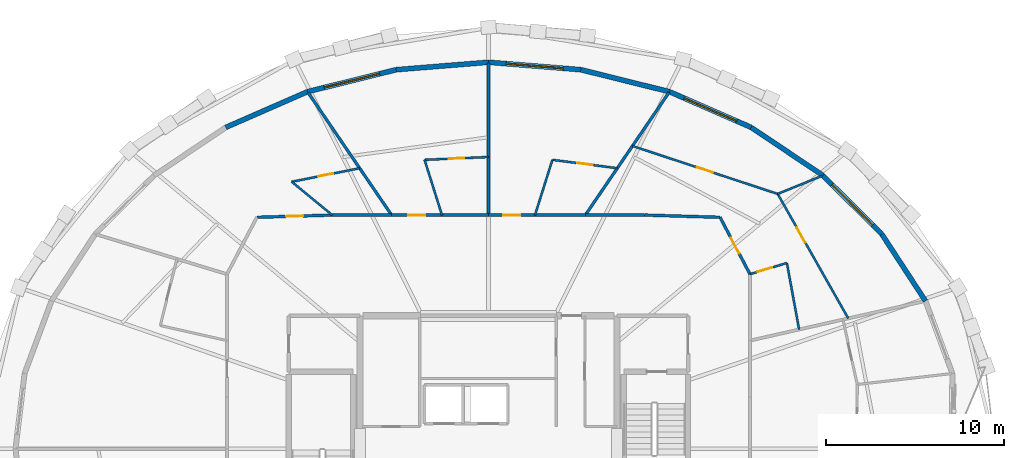
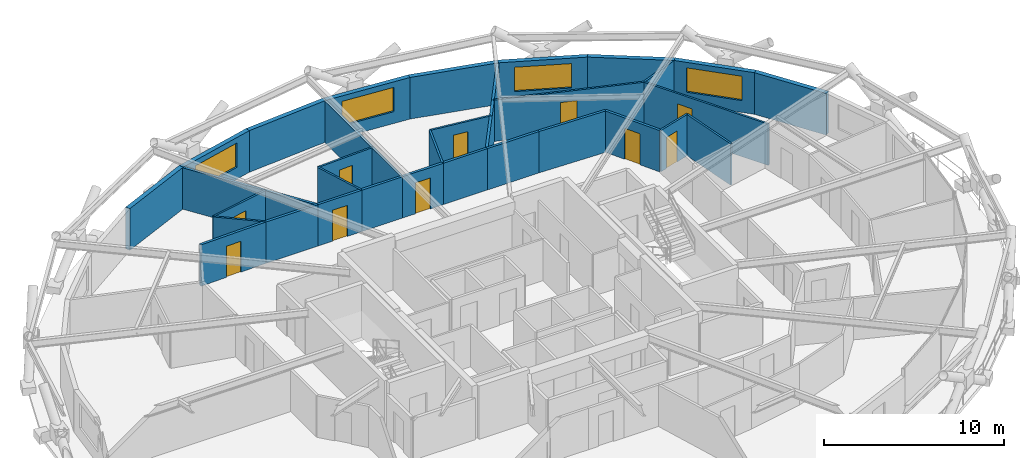
# One storey, part 17 of 21: 32 walls, 10 doors, 4 windows, 14 openings.
"""IFC4 building model written with IfcOpenShell, lengths in metres."""

import ifcopenshell
import ifcopenshell.guid

model = None  # the IFC model being written
_history = None  # IfcOwnerHistory: only IFC2X3 demands one
_inside = {}  # id of a spatial element -> (the spatial element, [elements in it])
_under = {}  # id of a project, library or spatial element -> (it, [spatial elements below it])
_declared = {}  # id of a project -> (the project, [libraries it declares])
_typed = {}  # id of a type object -> (the type object, [elements of that type])
_made_of = {}  # id of a material, layer set ... -> (it, [elements and type objects made of it])


def new_model(schema):
    """Start an empty IFC model of exactly this schema.

    Asked for "IFC4X3", IfcOpenShell would pick the latest addendum, in which some entities
    have other attributes; the version numbers below select the first issue.
    IFC2X3 requires an IfcOwnerHistory on every rooted entity: one is made here for all.
    """
    global model, _history
    if schema == "IFC4X3":
        model = ifcopenshell.file(schema_version=(4, 3, 0, 0))
    else:
        model = ifcopenshell.file(schema=schema)
    _inside.clear()
    _under.clear()
    _declared.clear()
    _typed.clear()
    _made_of.clear()
    _history = None
    if model.schema == "IFC2X3":
        org = make("IfcOrganization", Name="unknown")
        user = make(
            "IfcPersonAndOrganization",
            ThePerson=make("IfcPerson", FamilyName="unknown"),
            TheOrganization=org,
        )
        app = make(
            "IfcApplication",
            ApplicationDeveloper=org,
            Version="unknown",
            ApplicationFullName="unknown",
            ApplicationIdentifier="unknown",
        )
        _history = make(
            "IfcOwnerHistory",
            OwningUser=user,
            OwningApplication=app,
            ChangeAction="ADDED",
            CreationDate=0,
        )
    return model


def make(cls, **values):
    """One entity of the class cls with the attributes given. An attribute that is None is left unset."""
    return model.create_entity(
        cls, **{name: value for name, value in values.items() if value is not None}
    )


def rooted(cls, **values):
    """An entity with a GlobalId (a new one), such as an element, a storey or a relation."""
    return make(cls, GlobalId=ifcopenshell.guid.new(), OwnerHistory=_history, **values)


def si_unit(unit_type, name, prefix=None):
    """IfcSIUnit, for example si_unit("LENGTHUNIT", "METRE", prefix="MILLI")."""
    return make("IfcSIUnit", UnitType=unit_type, Prefix=prefix, Name=name)


def assignment(units):
    """IfcUnitAssignment: the units of a project."""
    return None if units is None else make("IfcUnitAssignment", Units=units)


def point(xyz):
    """IfcCartesianPoint."""
    return None if xyz is None else make("IfcCartesianPoint", Coordinates=xyz)


def direction(xyz):
    """IfcDirection."""
    return None if xyz is None else make("IfcDirection", DirectionRatios=xyz)


def frame(location, z_axis=None, x_axis=None):
    """IfcAxis2Placement3D, a coordinate frame: its origin and axes. An axis left out is left unset."""
    return make(
        "IfcAxis2Placement3D",
        Location=point(location),
        Axis=direction(z_axis),
        RefDirection=direction(x_axis),
    )


def frame_2d(location, x_axis=None):
    """IfcAxis2Placement2D, a coordinate frame in the plane: its origin and x axis."""
    return make(
        "IfcAxis2Placement2D", Location=point(location), RefDirection=direction(x_axis)
    )


def origin():
    """The frame at (0, 0, 0) with its axes left unset."""
    return frame((0.0, 0.0, 0.0))


def place(relative_to, where):
    """IfcLocalPlacement: puts the frame where relative to a parent placement (None: the world)."""
    return make(
        "IfcLocalPlacement", PlacementRelTo=relative_to, RelativePlacement=where
    )


def context(
    kind, dimensions, precision=None, world=None, true_north=None, identifier=None
):
    """IfcGeometricRepresentationContext, for example the 3D "Model" context."""
    return make(
        "IfcGeometricRepresentationContext",
        ContextIdentifier=identifier,
        ContextType=kind,
        CoordinateSpaceDimension=dimensions,
        Precision=precision,
        WorldCoordinateSystem=world,
        TrueNorth=true_north,
    )


def subcontext(parent, identifier, kind, view, scale=None):
    """IfcGeometricRepresentationSubContext, for example "Body" below "Model"."""
    return make(
        "IfcGeometricRepresentationSubContext",
        ContextIdentifier=identifier,
        ContextType=kind,
        ParentContext=parent,
        TargetScale=scale,
        TargetView=view,
    )


def project(units=None, contexts=None):
    """IfcProject with its units and contexts."""
    return rooted(
        "IfcProject",
        Name="project",
        RepresentationContexts=contexts,
        UnitsInContext=assignment(units),
    )


def spatial(cls, under=None, at=None, **own):
    """A site, building, storey or space (cls), placed at a placement, below another one or the project."""
    s = rooted(cls, ObjectPlacement=at, **own)
    if under is not None:
        _under.setdefault(under.id(), (under, []))[1].append(s)
    return s


def profile(cls, at=None, kind="AREA", **sizes):
    """A parametric profile (cls). Its sizes go by their IFC names, for example OverallWidth=200.0."""
    return make(cls, ProfileType=kind, Position=at, **sizes)


def rectangle(**sizes):
    """IfcRectangleProfileDef."""
    return profile("IfcRectangleProfileDef", **sizes)


def extrude(swept, where, along, depth):
    """IfcExtrudedAreaSolid: the profile swept, set in the frame where, extruded along a direction by depth."""
    return make(
        "IfcExtrudedAreaSolid",
        SweptArea=swept,
        Position=where,
        ExtrudedDirection=direction(along),
        Depth=depth,
    )


def shape(context_of_items, identifier, shape_type, items):
    """IfcShapeRepresentation: the items that make up one representation, for example the "Body"."""
    return make(
        "IfcShapeRepresentation",
        ContextOfItems=context_of_items,
        RepresentationIdentifier=identifier,
        RepresentationType=shape_type,
        Items=items,
    )


def material(Name=None, Category=None):
    """IfcMaterial."""
    return make("IfcMaterial", Name=Name, Category=Category)


def layer(
    of_material, thickness, ventilated=None, Name=None, Category=None, Priority=None
):
    """IfcMaterialLayer: one layer of a wall or slab, of a material (None: an air gap)."""
    return make(
        "IfcMaterialLayer",
        Material=of_material,
        LayerThickness=thickness,
        IsVentilated=ventilated,
        Name=Name,
        Category=Category,
        Priority=Priority,
    )


def layer_set(layers, Name=None):
    """IfcMaterialLayerSet."""
    return make("IfcMaterialLayerSet", MaterialLayers=layers, LayerSetName=Name)


def made_of(thing, what):
    """Note that an element or type object is made of a material, layer set ...; save() writes the relation."""
    if what is not None:
        _made_of.setdefault(what.id(), (what, []))[1].append(thing)
    return thing


def type_object(cls, material=None, **own):
    """A type object (cls), such as IfcWallType, which elements share."""
    return made_of(rooted(cls, **own), material)


def element(
    cls,
    number,
    at=None,
    inside=None,
    cuts=None,
    type_object=None,
    material=None,
    context=None,
    identifier="Body",
    shape_type=None,
    held_by="IfcProductDefinitionShape",
    body=None,
    shapes=None,
    **own,
):
    """One element of the class cls, such as IfcWall. Its Tag is "e" and its number.

    at: its placement. inside: the storey or other place that contains it. cuts: it is an
    opening in that element (IfcRelVoidsElement). A single representation is given by context,
    identifier, shape_type and body (its items); several are given by shapes. held_by: the class
    of the entity that holds the representations. save() writes the other relations.
    """
    e = rooted(cls, Tag="e%d" % number, ObjectPlacement=at, **own)
    if body is not None:
        shapes = [shape(context, identifier, shape_type, body)]
    if shapes is not None:
        e.Representation = make(held_by, Representations=shapes)
    if inside is not None:
        _inside.setdefault(inside.id(), (inside, []))[1].append(e)
    if cuts is not None:
        rooted(
            "IfcRelVoidsElement", RelatingBuildingElement=cuts, RelatedOpeningElement=e
        )
    if type_object is not None:
        _typed.setdefault(type_object.id(), (type_object, []))[1].append(e)
    return made_of(e, material)


def fill(opening, filler):
    """IfcRelFillsElement: the door or window that sits in an opening."""
    return rooted(
        "IfcRelFillsElement",
        RelatingOpeningElement=opening,
        RelatedBuildingElement=filler,
    )


def aggregate(whole, parts):
    """IfcRelAggregates: a whole, such as a stair, and the parts it consists of."""
    return rooted("IfcRelAggregates", RelatingObject=whole, RelatedObjects=parts)


def save(model, path):
    """Write the relations noted so far, then the file.

    IfcRelAggregates (storeys below a building ...), IfcRelContainedInSpatialStructure (elements
    in a storey), IfcRelDefinesByType, IfcRelAssociatesMaterial and IfcRelDeclares: one each for
    every whole, place, type object, material and project.
    """
    for whole, parts in _under.values():
        aggregate(whole, parts)
    for where, things in _inside.values():
        rooted(
            "IfcRelContainedInSpatialStructure",
            RelatedElements=things,
            RelatingStructure=where,
        )
    for kind, things in _typed.values():
        rooted("IfcRelDefinesByType", RelatedObjects=things, RelatingType=kind)
    for what, things in _made_of.values():
        rooted("IfcRelAssociatesMaterial", RelatedObjects=things, RelatingMaterial=what)
    for by, libraries in _declared.values():
        rooted("IfcRelDeclares", RelatingContext=by, RelatedDefinitions=libraries)
    model.write(path)


model = new_model("IFC4")

# Units and contexts
model_context = context("Model", 3, precision=1e-05, world=origin(), true_north=direction((0.0, 1.0)))
body_context = subcontext(model_context, "Body", "Model", "MODEL_VIEW")
ifc_project = project(units=[si_unit("LENGTHUNIT", "METRE"), si_unit("AREAUNIT", "SQUARE_METRE"), si_unit("VOLUMEUNIT", "CUBIC_METRE"), si_unit("PLANEANGLEUNIT", "RADIAN"), si_unit("MASSUNIT", "GRAM", prefix="KILO")], contexts=[model_context])

# Site, building, storey
site_placement = place(None, origin())
site = spatial("IfcSite", under=ifc_project, at=site_placement, CompositionType="ELEMENT")
building_placement = place(site_placement, origin())
building = spatial("IfcBuilding", under=site, at=building_placement, Name="Veldorina Hangang Commons", CompositionType="ELEMENT")
storey_placement = place(building_placement, frame((0.0, 0.0, 138.800048828125)))
storey = spatial("IfcBuildingStorey", under=building, at=storey_placement, Name="L35", CompositionType="ELEMENT", Elevation=138.800048828125)

# Wall
ifc_material_1 = material(Name="Stone Roman Travertine", Category="masonry")
ifc_layer_1 = layer(ifc_material_1, 0.280029296875)
ifc_layer_set_1 = layer_set([ifc_layer_1], Name="Stone Roman Travertine")
wall_type_1 = type_object("IfcWallType", Name="EW-TRAV-280", PredefinedType="STANDARD", material=ifc_layer_set_1)
wall_1_placement = place(storey_placement, frame((56.481201171875, 32.289306640625, 0.0), z_axis=(0.0, 0.0, 1.0), x_axis=(-0.54727435463, 0.836953272749, 0.0)))
element("IfcWall", 1, at=wall_1_placement, inside=storey, type_object=wall_type_1, Name="L35 travertine facade wall 02", PredefinedType="STANDARD", context=body_context, shape_type="SweptSolid", body=[
    extrude(rectangle(XDim=4.474365234375, YDim=0.280029296875, at=frame_2d((2.2373046875, 0.0))), origin(), (0.0, 0.0, 1.0), 2.820068359375),
])

# Wall, opening, window
wall_2_placement = place(storey_placement, frame((54.032470703125, 36.0341796875, 0.0), z_axis=(0.0, 0.0, 1.0), x_axis=(-0.708522616078, 0.705688105686, 0.0)))
wall_2 = element("IfcWall", 2, at=wall_2_placement, inside=storey, type_object=wall_type_1, Name="L35 travertine facade wall 03", PredefinedType="STANDARD", context=body_context, shape_type="SweptSolid", body=[
    extrude(rectangle(XDim=4.651123046875, YDim=0.280029296875, at=frame_2d((2.32568359375, 0.0))), origin(), (0.0, 0.0, 1.0), 2.820068359375),
])
opening_1_placement = place(wall_2_placement, frame((0.7255859375, 0.0, 0.800048828125)))
opening_1 = element("IfcOpeningElement", 3, at=opening_1_placement, cuts=wall_2, Name="Opening W-01", PredefinedType="OPENING", context=body_context, shape_type="SweptSolid", body=[
    extrude(rectangle(XDim=3.199951171875, YDim=1.64990234375, at=frame_2d((1.60009765625, 0.824951171875))), frame((0.0, 0.14990234375, 0.0), z_axis=(0.0, -1.0, 0.0), x_axis=(1.0, 0.0, 0.0)), (0.0, 0.0, 1.0), 0.300048828125),
])
ifc_material_2 = material(Name="Glass Low-E Triple IGU", Category="glass")
window_type = type_object("IfcWindowType", Name="WIN-TWR-3200", PartitioningType="SINGLE_PANEL", PredefinedType="WINDOW", material=ifc_material_2)
window_1_placement = place(opening_1_placement, origin())
window_1 = element("IfcWindow", 4, at=window_1_placement, inside=storey, type_object=window_type, Name="L35 facade window 03", OverallHeight=1.64990234375, OverallWidth=3.199951171875, PartitioningType="SINGLE_PANEL", PredefinedType="WINDOW", context=body_context, shape_type="SweptSolid", body=[
    extrude(rectangle(XDim=3.199951171875, YDim=1.64990234375, at=frame_2d((1.60009765625, 0.824951171875))), frame((0.0, 0.030029296875, 0.0), z_axis=(0.0, -1.0, 0.0), x_axis=(1.0, 0.0, 0.0)), (0.0, 0.0, 1.0), 0.06005859375),
])
fill(opening_1, window_1)

# Wall
wall_3_placement = place(storey_placement, frame((50.737060546875, 39.31640625, 0.0), z_axis=(0.0, 0.0, 1.0), x_axis=(-0.830431041812, 0.557121427334, 0.0)))
element("IfcWall", 5, at=wall_3_placement, inside=storey, type_object=wall_type_1, Name="L35 travertine facade wall 04", PredefinedType="STANDARD", context=body_context, shape_type="SweptSolid", body=[
    extrude(rectangle(XDim=4.835205078125, YDim=0.280029296875, at=frame_2d((2.41748046875, 0.0))), origin(), (0.0, 0.0, 1.0), 2.820068359375),
])

# Wall, opening, window
wall_4_placement = place(storey_placement, frame((46.7216796875, 42.01025390625, 0.0), z_axis=(0.0, 0.0, 1.0), x_axis=(-0.916348879192, 0.400380733307, 0.0)))
wall_4 = element("IfcWall", 6, at=wall_4_placement, inside=storey, type_object=wall_type_1, Name="L35 travertine facade wall 05", PredefinedType="STANDARD", context=body_context, shape_type="SweptSolid", body=[
    extrude(rectangle(XDim=4.99951171875, YDim=0.280029296875, at=frame_2d((2.499755859375, 0.0))), origin(), (0.0, 0.0, 1.0), 2.820068359375),
])
opening_2_placement = place(wall_4_placement, frame((0.899658203125, 0.0, 0.800048828125)))
opening_2 = element("IfcOpeningElement", 7, at=opening_2_placement, cuts=wall_4, Name="Opening W-01", PredefinedType="OPENING", context=body_context, shape_type="SweptSolid", body=[
    extrude(rectangle(XDim=3.199951171875, YDim=1.64990234375, at=frame_2d((1.60009765625, 0.824951171875))), frame((0.0, 0.14990234375, 0.0), z_axis=(0.0, -1.0, 0.0), x_axis=(1.0, 0.0, 0.0)), (0.0, 0.0, 1.0), 0.300048828125),
])
window_2_placement = place(opening_2_placement, origin())
window_2 = element("IfcWindow", 8, at=window_2_placement, inside=storey, type_object=window_type, Name="L35 facade window 05", OverallHeight=1.64990234375, OverallWidth=3.199951171875, PartitioningType="SINGLE_PANEL", PredefinedType="WINDOW", context=body_context, shape_type="SweptSolid", body=[
    extrude(rectangle(XDim=3.199951171875, YDim=1.64990234375, at=frame_2d((1.60009765625, 0.824951171875))), frame((0.0, 0.030029296875, 0.0), z_axis=(0.0, -1.0, 0.0), x_axis=(1.0, 0.0, 0.0)), (0.0, 0.0, 1.0), 0.06005859375),
])
fill(opening_2, window_2)

# Wall
wall_5_placement = place(storey_placement, frame((42.140380859375, 44.011962890625, 0.0), z_axis=(0.0, 0.0, 1.0), x_axis=(-0.970600650036, 0.240695613066, 0.0)))
element("IfcWall", 9, at=wall_5_placement, inside=storey, type_object=wall_type_1, Name="L35 travertine facade wall 06", PredefinedType="STANDARD", context=body_context, shape_type="SweptSolid", body=[
    extrude(rectangle(XDim=5.121337890625, YDim=0.280029296875, at=frame_2d((2.560546875, 0.0))), origin(), (0.0, 0.0, 1.0), 2.820068359375),
])

# Wall, opening, window
wall_6_placement = place(storey_placement, frame((37.169677734375, 45.24462890625, 0.0), z_axis=(0.0, 0.0, 1.0), x_axis=(-0.996773984809, 0.080259723452, 0.0)))
wall_6 = element("IfcWall", 10, at=wall_6_placement, inside=storey, type_object=wall_type_1, Name="L35 travertine facade wall 07", PredefinedType="STANDARD", context=body_context, shape_type="SweptSolid", body=[
    extrude(rectangle(XDim=5.1865234375, YDim=0.280029296875, at=frame_2d((2.59326171875, 0.0))), origin(), (0.0, 0.0, 1.0), 2.820068359375),
])
opening_3_placement = place(wall_6_placement, frame((0.9931640625, 0.0, 0.800048828125)))
opening_3 = element("IfcOpeningElement", 11, at=opening_3_placement, cuts=wall_6, Name="Opening W-01", PredefinedType="OPENING", context=body_context, shape_type="SweptSolid", body=[
    extrude(rectangle(XDim=3.199951171875, YDim=1.64990234375, at=frame_2d((1.60009765625, 0.824951171875))), frame((0.0, 0.14990234375, 0.0), z_axis=(0.0, -1.0, 0.0), x_axis=(1.0, 0.0, 0.0)), (0.0, 0.0, 1.0), 0.300048828125),
])
window_3_placement = place(opening_3_placement, origin())
window_3 = element("IfcWindow", 12, at=window_3_placement, inside=storey, type_object=window_type, Name="L35 facade window 07", OverallHeight=1.64990234375, OverallWidth=3.199951171875, PartitioningType="SINGLE_PANEL", PredefinedType="WINDOW", context=body_context, shape_type="SweptSolid", body=[
    extrude(rectangle(XDim=3.199951171875, YDim=1.64990234375, at=frame_2d((1.60009765625, 0.824951171875))), frame((0.0, 0.030029296875, 0.0), z_axis=(0.0, -1.0, 0.0), x_axis=(1.0, 0.0, 0.0)), (0.0, 0.0, 1.0), 0.06005859375),
])
fill(opening_3, window_3)

# Wall
wall_7_placement = place(storey_placement, frame((32.0, 45.660888671875, 0.0), z_axis=(0.0, 0.0, 1.0), x_axis=(-0.996773984809, -0.080259723452, 0.0)))
element("IfcWall", 13, at=wall_7_placement, inside=storey, type_object=wall_type_1, Name="L35 travertine facade wall 08", PredefinedType="STANDARD", context=body_context, shape_type="SweptSolid", body=[
    extrude(rectangle(XDim=5.1865234375, YDim=0.280029296875, at=frame_2d((2.59326171875, 0.0))), origin(), (0.0, 0.0, 1.0), 2.820068359375),
])

# Wall, opening, window
wall_8_placement = place(storey_placement, frame((26.830322265625, 45.24462890625, 0.0), z_axis=(0.0, 0.0, 1.0), x_axis=(-0.970600650036, -0.240695613066, 0.0)))
wall_8 = element("IfcWall", 14, at=wall_8_placement, inside=storey, type_object=wall_type_1, Name="L35 travertine facade wall 09", PredefinedType="STANDARD", context=body_context, shape_type="SweptSolid", body=[
    extrude(rectangle(XDim=5.121337890625, YDim=0.280029296875, at=frame_2d((2.560546875, 0.0))), origin(), (0.0, 0.0, 1.0), 2.820068359375),
])
opening_4_placement = place(wall_8_placement, frame((0.960693359375, 0.0, 0.800048828125)))
opening_4 = element("IfcOpeningElement", 15, at=opening_4_placement, cuts=wall_8, Name="Opening W-01", PredefinedType="OPENING", context=body_context, shape_type="SweptSolid", body=[
    extrude(rectangle(XDim=3.199951171875, YDim=1.64990234375, at=frame_2d((1.60009765625, 0.824951171875))), frame((0.0, 0.14990234375, 0.0), z_axis=(0.0, -1.0, 0.0), x_axis=(1.0, 0.0, 0.0)), (0.0, 0.0, 1.0), 0.300048828125),
])
window_4_placement = place(opening_4_placement, origin())
window_4 = element("IfcWindow", 16, at=window_4_placement, inside=storey, type_object=window_type, Name="L35 facade window 09", OverallHeight=1.64990234375, OverallWidth=3.199951171875, PartitioningType="SINGLE_PANEL", PredefinedType="WINDOW", context=body_context, shape_type="SweptSolid", body=[
    extrude(rectangle(XDim=3.199951171875, YDim=1.64990234375, at=frame_2d((1.60009765625, 0.824951171875))), frame((0.0, 0.030029296875, 0.0), z_axis=(0.0, -1.0, 0.0), x_axis=(1.0, 0.0, 0.0)), (0.0, 0.0, 1.0), 0.06005859375),
])
fill(opening_4, window_4)

# Wall
wall_9_placement = place(storey_placement, frame((21.859619140625, 44.011962890625, 0.0), z_axis=(0.0, 0.0, 1.0), x_axis=(-0.916348879192, -0.400380733307, 0.0)))
element("IfcWall", 17, at=wall_9_placement, inside=storey, type_object=wall_type_1, Name="L35 travertine facade wall 10", PredefinedType="STANDARD", context=body_context, shape_type="SweptSolid", body=[
    extrude(rectangle(XDim=4.99951171875, YDim=0.280029296875, at=frame_2d((2.499755859375, 0.0))), origin(), (0.0, 0.0, 1.0), 2.820068359375),
])

# Wall, opening, door
ifc_material_3 = material(Name="Gypsum Fire-Rated Twin Stud Wall", Category="gypsum")
ifc_layer_2 = layer(ifc_material_3, 0.159912109375)
ifc_layer_set_2 = layer_set([ifc_layer_2], Name="Gypsum Fire-Rated Twin Stud Wall")
wall_type_2 = type_object("IfcWallType", Name="WL-FIRE-160", PredefinedType="SOLIDWALL", material=ifc_layer_set_2)
wall_10_placement = place(storey_placement, frame((46.64990234375, 33.788818359375, 0.0), z_axis=(0.0, 0.0, 1.0), x_axis=(-0.46527115782, 0.885168204185, 0.0)))
wall_10 = element("IfcWall", 18, at=wall_10_placement, inside=storey, type_object=wall_type_2, Name="L35 U-corridor outer wall 03 047", PredefinedType="SOLIDWALL", context=body_context, shape_type="SweptSolid", body=[
    extrude(rectangle(XDim=3.599609375, YDim=0.159912109375, at=frame_2d((1.7998046875, 0.0))), origin(), (0.0, 0.0, 1.0), 2.800048828125),
])
opening_5_placement = place(wall_10_placement, frame((1.2998046875, 0.0, 0.0)))
opening_5 = element("IfcOpeningElement", 19, at=opening_5_placement, cuts=wall_10, Name="Opening D-06", PredefinedType="OPENING", context=body_context, shape_type="SweptSolid", body=[
    extrude(rectangle(XDim=1.0, YDim=2.10009765625, at=frame_2d((0.5, 1.050048828125))), frame((0.0, 0.08984375, 0.0), z_axis=(0.0, -1.0, 0.0), x_axis=(1.0, 0.0, 0.0)), (0.0, 0.0, 1.0), 0.179931640625),
])
ifc_material_4 = material(Name="Timber Fire-Rated Entrance Core", Category="wood")
door_type_1 = type_object("IfcDoorType", Name="DR-UNIT-1000", OperationType="SINGLE_SWING_LEFT", PredefinedType="DOOR", material=ifc_material_4)
door_1_placement = place(opening_5_placement, origin())
door_1 = element("IfcDoor", 20, at=door_1_placement, inside=storey, type_object=door_type_1, Name="L35 Cluster 3 entrance door 025", OperationType="SINGLE_SWING_LEFT", OverallHeight=2.10009765625, OverallWidth=1.0, PredefinedType="DOOR", context=body_context, shape_type="SweptSolid", body=[
    extrude(rectangle(XDim=1.0, YDim=2.10009765625, at=frame_2d((0.5, 1.050048828125))), frame((0.0, 0.02490234375, 0.0), z_axis=(0.0, -1.0, 0.0), x_axis=(1.0, 0.0, 0.0)), (0.0, 0.0, 1.0), 0.050048828125),
])
fill(opening_5, door_1)

# Walls
wall_11_placement = place(storey_placement, frame((44.97509765625, 36.97509765625, 0.0), z_axis=(0.0, 0.0, 1.0), x_axis=(-0.999561990195, 0.029594387265, 0.0)))
element("IfcWall", 21, at=wall_11_placement, inside=storey, type_object=wall_type_2, Name="L35 U-corridor outer wall 04 048", PredefinedType="SOLIDWALL", context=body_context, shape_type="SweptSolid", body=[
    extrude(rectangle(XDim=4.223876953125, YDim=0.159912109375, at=frame_2d((2.11181640625, 0.0))), origin(), (0.0, 0.0, 1.0), 2.800048828125),
])
wall_12_placement = place(storey_placement, frame((40.753173828125, 37.10009765625, 0.0), z_axis=(0.0, 0.0, 1.0), x_axis=(-1.0, 0.0, 0.0)))
element("IfcWall", 22, at=wall_12_placement, inside=storey, type_object=wall_type_2, Name="L35 U-corridor outer wall 05 049", PredefinedType="SOLIDWALL", context=body_context, shape_type="SweptSolid", body=[
    extrude(rectangle(XDim=3.326904296875, YDim=0.159912109375, at=frame_2d((1.66357421875, 0.0))), origin(), (0.0, 0.0, 1.0), 2.800048828125),
])
wall_13_placement = place(storey_placement, frame((37.42626953125, 37.10009765625, 0.0), z_axis=(0.0, 0.0, 1.0), x_axis=(-1.0, 0.0, 0.0)))
element("IfcWall", 23, at=wall_13_placement, inside=storey, type_object=wall_type_2, Name="L35 U-corridor outer wall 06 050", PredefinedType="SOLIDWALL", context=body_context, shape_type="SweptSolid", body=[
    extrude(rectangle(XDim=2.820556640625, YDim=0.159912109375, at=frame_2d((1.41015625, 0.0))), origin(), (0.0, 0.0, 1.0), 2.800048828125),
])

# Wall, opening, door
wall_14_placement = place(storey_placement, frame((34.605712890625, 37.10009765625, 0.0), z_axis=(0.0, 0.0, 1.0), x_axis=(-1.0, 0.0, 0.0)))
wall_14 = element("IfcWall", 24, at=wall_14_placement, inside=storey, type_object=wall_type_2, Name="L35 U-corridor outer wall 07 051", PredefinedType="SOLIDWALL", context=body_context, shape_type="SweptSolid", body=[
    extrude(rectangle(XDim=2.605712890625, YDim=0.159912109375, at=frame_2d((1.302734375, 0.0))), origin(), (0.0, 0.0, 1.0), 2.800048828125),
])
opening_6_placement = place(wall_14_placement, frame((0.827880859375, 0.0, 0.0)))
opening_6 = element("IfcOpeningElement", 25, at=opening_6_placement, cuts=wall_14, Name="Opening D-03", PredefinedType="OPENING", context=body_context, shape_type="SweptSolid", body=[
    extrude(rectangle(XDim=0.949951171875, YDim=2.10009765625, at=frame_2d((0.47509765625, 1.050048828125))), frame((0.0, 0.08984375, 0.0), z_axis=(0.0, -1.0, 0.0), x_axis=(1.0, 0.0, 0.0)), (0.0, 0.0, 1.0), 0.179931640625),
])
door_type_2 = type_object("IfcDoorType", Name="DR-UNIT-950", OperationType="SINGLE_SWING_RIGHT", PredefinedType="DOOR", material=ifc_material_4)
door_2_placement = place(opening_6_placement, origin())
door_2 = element("IfcDoor", 26, at=door_2_placement, inside=storey, type_object=door_type_2, Name="L35 Studio 4 entrance door 029", OperationType="SINGLE_SWING_LEFT", OverallHeight=2.10009765625, OverallWidth=0.949951171875, PredefinedType="DOOR", context=body_context, shape_type="SweptSolid", body=[
    extrude(rectangle(XDim=0.949951171875, YDim=2.10009765625, at=frame_2d((0.47509765625, 1.050048828125))), frame((0.0, 0.02490234375, 0.0), z_axis=(0.0, -1.0, 0.0), x_axis=(1.0, 0.0, 0.0)), (0.0, 0.0, 1.0), 0.050048828125),
])
fill(opening_6, door_2)

# Wall
wall_15_placement = place(storey_placement, frame((32.0, 37.10009765625, 0.0), z_axis=(0.0, 0.0, 1.0), x_axis=(-1.0, 0.0, 0.0)))
element("IfcWall", 27, at=wall_15_placement, inside=storey, type_object=wall_type_2, Name="L35 U-corridor outer wall 08 052", PredefinedType="SOLIDWALL", context=body_context, shape_type="SweptSolid", body=[
    extrude(rectangle(XDim=2.605712890625, YDim=0.159912109375, at=frame_2d((1.302734375, 0.0))), origin(), (0.0, 0.0, 1.0), 2.800048828125),
])

# Wall, opening, door
wall_16_placement = place(storey_placement, frame((29.394287109375, 37.10009765625, 0.0), z_axis=(0.0, 0.0, 1.0), x_axis=(-1.0, 0.0, 0.0)))
wall_16 = element("IfcWall", 28, at=wall_16_placement, inside=storey, type_object=wall_type_2, Name="L35 U-corridor outer wall 09 053", PredefinedType="SOLIDWALL", context=body_context, shape_type="SweptSolid", body=[
    extrude(rectangle(XDim=2.820556640625, YDim=0.159912109375, at=frame_2d((1.41015625, 0.0))), origin(), (0.0, 0.0, 1.0), 2.800048828125),
])
opening_7_placement = place(wall_16_placement, frame((0.935302734375, 0.0, 0.0)))
opening_7 = element("IfcOpeningElement", 29, at=opening_7_placement, cuts=wall_16, Name="Opening D-03", PredefinedType="OPENING", context=body_context, shape_type="SweptSolid", body=[
    extrude(rectangle(XDim=0.949951171875, YDim=2.10009765625, at=frame_2d((0.47509765625, 1.050048828125))), frame((0.0, 0.08984375, 0.0), z_axis=(0.0, -1.0, 0.0), x_axis=(1.0, 0.0, 0.0)), (0.0, 0.0, 1.0), 0.179931640625),
])
door_3_placement = place(opening_7_placement, origin())
door_3 = element("IfcDoor", 30, at=door_3_placement, inside=storey, type_object=door_type_2, Name="L35 Studio 5 entrance door 031", OperationType="SINGLE_SWING_LEFT", OverallHeight=2.10009765625, OverallWidth=0.949951171875, PredefinedType="DOOR", context=body_context, shape_type="SweptSolid", body=[
    extrude(rectangle(XDim=0.949951171875, YDim=2.10009765625, at=frame_2d((0.47509765625, 1.050048828125))), frame((0.0, 0.02490234375, 0.0), z_axis=(0.0, -1.0, 0.0), x_axis=(1.0, 0.0, 0.0)), (0.0, 0.0, 1.0), 0.050048828125),
])
fill(opening_7, door_3)

# Wall
wall_17_placement = place(storey_placement, frame((26.57373046875, 37.10009765625, 0.0), z_axis=(0.0, 0.0, 1.0), x_axis=(-1.0, 0.0, 0.0)))
element("IfcWall", 31, at=wall_17_placement, inside=storey, type_object=wall_type_2, Name="L35 U-corridor outer wall 10 054", PredefinedType="SOLIDWALL", context=body_context, shape_type="SweptSolid", body=[
    extrude(rectangle(XDim=3.326904296875, YDim=0.159912109375, at=frame_2d((1.66357421875, 0.0))), origin(), (0.0, 0.0, 1.0), 2.800048828125),
])

# Wall, opening, door
wall_18_placement = place(storey_placement, frame((23.246826171875, 37.10009765625, 0.0), z_axis=(0.0, 0.0, 1.0), x_axis=(-0.999561990195, -0.029594387265, 0.0)))
wall_18 = element("IfcWall", 32, at=wall_18_placement, inside=storey, type_object=wall_type_2, Name="L35 U-corridor outer wall 11 055", PredefinedType="SOLIDWALL", context=body_context, shape_type="SweptSolid", body=[
    extrude(rectangle(XDim=4.223876953125, YDim=0.159912109375, at=frame_2d((2.11181640625, 0.0))), origin(), (0.0, 0.0, 1.0), 2.800048828125),
])
opening_8_placement = place(wall_18_placement, frame((1.636962890625, 0.0, 0.0)))
opening_8 = element("IfcOpeningElement", 33, at=opening_8_placement, cuts=wall_18, Name="Opening D-03", PredefinedType="OPENING", context=body_context, shape_type="SweptSolid", body=[
    extrude(rectangle(XDim=0.949951171875, YDim=2.10009765625, at=frame_2d((0.47509765625, 1.050048828125))), frame((0.0, 0.08984375, 0.0), z_axis=(0.0, -1.0, 0.0), x_axis=(1.0, 0.0, 0.0)), (0.0, 0.0, 1.0), 0.179931640625),
])
door_4_placement = place(opening_8_placement, origin())
door_4 = element("IfcDoor", 34, at=door_4_placement, inside=storey, type_object=door_type_2, Name="L35 Studio 6 entrance door 033", OperationType="SINGLE_SWING_LEFT", OverallHeight=2.10009765625, OverallWidth=0.949951171875, PredefinedType="DOOR", context=body_context, shape_type="SweptSolid", body=[
    extrude(rectangle(XDim=0.949951171875, YDim=2.10009765625, at=frame_2d((0.47509765625, 1.050048828125))), frame((0.0, 0.02490234375, 0.0), z_axis=(0.0, -1.0, 0.0), x_axis=(1.0, 0.0, 0.0)), (0.0, 0.0, 1.0), 0.050048828125),
])
fill(opening_8, door_4)

# Walls
wall_19_placement = place(storey_placement, frame((37.42626953125, 37.10009765625, 0.0), z_axis=(0.0, 0.0, 1.0), x_axis=(0.563462523852, 0.826141624792, 0.0)))
element("IfcWall", 35, at=wall_19_placement, inside=storey, type_object=wall_type_2, Name="L35 Unit party wall 06 097", PredefinedType="SOLIDWALL", context=body_context, shape_type="SweptSolid", body=[
    extrude(rectangle(XDim=8.31640625, YDim=0.159912109375, at=frame_2d((4.158203125, 0.0))), origin(), (0.0, 0.0, 1.0), 2.800048828125),
])
wall_20_placement = place(storey_placement, frame((32.0, 37.10009765625, 0.0), z_axis=(0.0, 0.0, 1.0), x_axis=(0.0, 1.0, 0.0)))
element("IfcWall", 36, at=wall_20_placement, inside=storey, type_object=wall_type_2, Name="L35 Unit party wall 08 100", PredefinedType="SOLIDWALL", context=body_context, shape_type="SweptSolid", body=[
    extrude(rectangle(XDim=8.5107421875, YDim=0.159912109375, at=frame_2d((4.25537109375, 0.0))), origin(), (0.0, 0.0, 1.0), 2.800048828125),
])
wall_21_placement = place(storey_placement, frame((26.57373046875, 37.10009765625, 0.0), z_axis=(0.0, 0.0, 1.0), x_axis=(-0.563462523852, 0.826141624792, 0.0)))
element("IfcWall", 37, at=wall_21_placement, inside=storey, type_object=wall_type_2, Name="L35 Unit party wall 10 103", PredefinedType="SOLIDWALL", context=body_context, shape_type="SweptSolid", body=[
    extrude(rectangle(XDim=8.31640625, YDim=0.159912109375, at=frame_2d((4.158203125, 0.0))), origin(), (0.0, 0.0, 1.0), 2.800048828125),
])
ifc_material_5 = material(Name="Gypsum Acoustic Stud Partition", Category="gypsum")
ifc_layer_3 = layer(ifc_material_5, 0.1201171875)
ifc_layer_set_3 = layer_set([ifc_layer_3], Name="Gypsum Acoustic Stud Partition")
wall_type_3 = type_object("IfcWallType", Name="WL-PART-120", PredefinedType="PARTITIONING", material=ifc_layer_set_3)
wall_22_placement = place(storey_placement, frame((49.402587890625, 30.690185546875, 0.0), z_axis=(0.0, 0.0, 1.0), x_axis=(-0.180891883728, 0.98350298749, 0.0)))
element("IfcWall", 38, at=wall_22_placement, inside=storey, type_object=wall_type_3, Name="L35 Cluster 3 bath front wall 092", PredefinedType="PARTITIONING", context=body_context, shape_type="SweptSolid", body=[
    extrude(rectangle(XDim=3.789794921875, YDim=0.1201171875, at=frame_2d((1.89501953125, 0.0))), origin(), (0.0, 0.0, 1.0), 2.800048828125),
])

# Wall, opening, door
wall_23_placement = place(storey_placement, frame((46.64990234375, 33.788818359375, 0.0), z_axis=(0.0, 0.0, 1.0), x_axis=(0.956734072181, 0.290963769442, 0.0)))
wall_23 = element("IfcWall", 39, at=wall_23_placement, inside=storey, type_object=wall_type_3, Name="L35 Cluster 3 bath side wall 093", PredefinedType="PARTITIONING", context=body_context, shape_type="SweptSolid", body=[
    extrude(rectangle(XDim=2.16064453125, YDim=0.1201171875, at=frame_2d((1.080322265625, 0.0))), origin(), (0.0, 0.0, 1.0), 2.800048828125),
])
opening_9_placement = place(wall_23_placement, frame((0.43994140625, 0.0, 0.0)))
opening_9 = element("IfcOpeningElement", 40, at=opening_9_placement, cuts=wall_23, Name="Opening D-01", PredefinedType="OPENING", context=body_context, shape_type="SweptSolid", body=[
    extrude(rectangle(XDim=0.860107421875, YDim=2.10009765625, at=frame_2d((0.43017578125, 1.050048828125))), frame((0.0, 0.070068359375, 0.0), z_axis=(0.0, -1.0, 0.0), x_axis=(1.0, 0.0, 0.0)), (0.0, 0.0, 1.0), 0.14013671875),
])
ifc_material_6 = material(Name="Timber Moisture-Resistant Core", Category="wood")
door_type_3 = type_object("IfcDoorType", Name="DR-WET-860", OperationType="SINGLE_SWING_LEFT", PredefinedType="DOOR", material=ifc_material_6)
door_5_placement = place(opening_9_placement, origin())
door_5 = element("IfcDoor", 41, at=door_5_placement, inside=storey, type_object=door_type_3, Name="L35 Cluster 3 shared bathroom door 024", OperationType="SINGLE_SWING_RIGHT", OverallHeight=2.10009765625, OverallWidth=0.860107421875, PredefinedType="DOOR", context=body_context, shape_type="SweptSolid", body=[
    extrude(rectangle(XDim=0.860107421875, YDim=2.10009765625, at=frame_2d((0.43017578125, 1.050048828125))), frame((0.0, 0.02490234375, 0.0), z_axis=(0.0, -1.0, 0.0), x_axis=(1.0, 0.0, 0.0)), (0.0, 0.0, 1.0), 0.050048828125),
])
fill(opening_9, door_5)

wall_24_placement = place(storey_placement, frame((52.155517578125, 31.31201171875, 0.0), z_axis=(0.0, 0.0, 1.0), x_axis=(-0.493164704103, 0.869935960072, 0.0)))
wall_24 = element("IfcWall", 42, at=wall_24_placement, inside=storey, type_object=wall_type_3, Name="L35 Cluster 3 bed 1 front wall 094", PredefinedType="PARTITIONING", context=body_context, shape_type="SweptSolid", body=[
    extrude(rectangle(XDim=8.016845703125, YDim=0.1201171875, at=frame_2d((4.00830078125, 0.0))), origin(), (0.0, 0.0, 1.0), 2.800048828125),
])
opening_10_placement = place(wall_24_placement, frame((4.89453125, 0.0, 0.0)))
opening_10 = element("IfcOpeningElement", 43, at=opening_10_placement, cuts=wall_24, Name="Opening D-02", PredefinedType="OPENING", context=body_context, shape_type="SweptSolid", body=[
    extrude(rectangle(XDim=0.949951171875, YDim=2.10009765625, at=frame_2d((0.47509765625, 1.050048828125))), frame((0.0, 0.070068359375, 0.0), z_axis=(0.0, -1.0, 0.0), x_axis=(1.0, 0.0, 0.0)), (0.0, 0.0, 1.0), 0.14013671875),
])
ifc_material_7 = material(Name="Timber Solid Core Acoustic", Category="wood")
door_type_4 = type_object("IfcDoorType", Name="DR-INT-950", OperationType="SINGLE_SWING_LEFT", PredefinedType="DOOR", material=ifc_material_7)
door_6_placement = place(opening_10_placement, origin())
door_6 = element("IfcDoor", 44, at=door_6_placement, inside=storey, type_object=door_type_4, Name="L35 Cluster 3 bed 1 door 026", OperationType="SINGLE_SWING_RIGHT", OverallHeight=2.10009765625, OverallWidth=0.949951171875, PredefinedType="DOOR", context=body_context, shape_type="SweptSolid", body=[
    extrude(rectangle(XDim=0.949951171875, YDim=2.10009765625, at=frame_2d((0.47509765625, 1.050048828125))), frame((0.0, 0.02490234375, 0.0), z_axis=(0.0, -1.0, 0.0), x_axis=(1.0, 0.0, 0.0)), (0.0, 0.0, 1.0), 0.050048828125),
])
fill(opening_10, door_6)

wall_25_placement = place(storey_placement, frame((48.201904296875, 38.2861328125, 0.0), z_axis=(0.0, 0.0, 1.0), x_axis=(-0.949636450875, 0.313353811482, 0.0)))
wall_25 = element("IfcWall", 45, at=wall_25_placement, inside=storey, type_object=wall_type_3, Name="L35 Cluster 3 bed 2 front wall 095", PredefinedType="PARTITIONING", context=body_context, shape_type="SweptSolid", body=[
    extrude(rectangle(XDim=8.567138671875, YDim=0.1201171875, at=frame_2d((4.28369140625, 0.0))), origin(), (0.0, 0.0, 1.0), 2.800048828125),
])
opening_11_placement = place(wall_25_placement, frame((3.80859375, 0.0, 0.0)))
opening_11 = element("IfcOpeningElement", 46, at=opening_11_placement, cuts=wall_25, Name="Opening D-02", PredefinedType="OPENING", context=body_context, shape_type="SweptSolid", body=[
    extrude(rectangle(XDim=0.949951171875, YDim=2.10009765625, at=frame_2d((0.47509765625, 1.050048828125))), frame((0.0, 0.070068359375, 0.0), z_axis=(0.0, -1.0, 0.0), x_axis=(1.0, 0.0, 0.0)), (0.0, 0.0, 1.0), 0.14013671875),
])
door_7_placement = place(opening_11_placement, origin())
door_7 = element("IfcDoor", 47, at=door_7_placement, inside=storey, type_object=door_type_4, Name="L35 Cluster 3 bed 2 door 027", OperationType="SINGLE_SWING_LEFT", OverallHeight=2.10009765625, OverallWidth=0.949951171875, PredefinedType="DOOR", context=body_context, shape_type="SweptSolid", body=[
    extrude(rectangle(XDim=0.949951171875, YDim=2.10009765625, at=frame_2d((0.47509765625, 1.050048828125))), frame((0.0, 0.02490234375, 0.0), z_axis=(0.0, -1.0, 0.0), x_axis=(1.0, 0.0, 0.0)), (0.0, 0.0, 1.0), 0.050048828125),
])
fill(opening_11, door_7)

# Wall
wall_26_placement = place(storey_placement, frame((48.201904296875, 38.2861328125, 0.0), z_axis=(0.0, 0.0, 1.0), x_axis=(0.926425973207, 0.376476979598, 0.0)))
element("IfcWall", 48, at=wall_26_placement, inside=storey, type_object=wall_type_3, Name="L35 Cluster 3 bed divider 1 096", PredefinedType="PARTITIONING", context=body_context, shape_type="SweptSolid", body=[
    extrude(rectangle(XDim=2.686767578125, YDim=0.1201171875, at=frame_2d((1.34326171875, 0.0))), origin(), (0.0, 0.0, 1.0), 2.800048828125),
])

# Wall, opening, door
wall_27_placement = place(storey_placement, frame((39.217529296875, 39.7265625, 0.0), z_axis=(0.0, 0.0, 1.0), x_axis=(-0.991815435092, 0.127679844587, 0.0)))
wall_27 = element("IfcWall", 49, at=wall_27_placement, inside=storey, type_object=wall_type_3, Name="L35 Studio 4 bath front wall 098", PredefinedType="PARTITIONING", context=body_context, shape_type="SweptSolid", body=[
    extrude(rectangle(XDim=3.66748046875, YDim=0.1201171875, at=frame_2d((1.833740234375, 0.0))), origin(), (0.0, 0.0, 1.0), 2.800048828125),
])
opening_12_placement = place(wall_27_placement, frame((1.40380859375, 0.0, 0.0)))
opening_12 = element("IfcOpeningElement", 50, at=opening_12_placement, cuts=wall_27, Name="Opening D-01", PredefinedType="OPENING", context=body_context, shape_type="SweptSolid", body=[
    extrude(rectangle(XDim=0.860107421875, YDim=2.10009765625, at=frame_2d((0.43017578125, 1.050048828125))), frame((0.0, 0.070068359375, 0.0), z_axis=(0.0, -1.0, 0.0), x_axis=(1.0, 0.0, 0.0)), (0.0, 0.0, 1.0), 0.14013671875),
])
door_8_placement = place(opening_12_placement, origin())
door_8 = element("IfcDoor", 51, at=door_8_placement, inside=storey, type_object=door_type_3, Name="L35 Studio 4 bathroom door 028", OperationType="SINGLE_SWING_RIGHT", OverallHeight=2.10009765625, OverallWidth=0.860107421875, PredefinedType="DOOR", context=body_context, shape_type="SweptSolid", body=[
    extrude(rectangle(XDim=0.860107421875, YDim=2.10009765625, at=frame_2d((0.43017578125, 1.050048828125))), frame((0.0, 0.02490234375, 0.0), z_axis=(0.0, -1.0, 0.0), x_axis=(1.0, 0.0, 0.0)), (0.0, 0.0, 1.0), 0.050048828125),
])
fill(opening_12, door_8)

# Wall
wall_28_placement = place(storey_placement, frame((34.605712890625, 37.10009765625, 0.0), z_axis=(0.0, 0.0, 1.0), x_axis=(0.30031376725, 0.953840469471, 0.0)))
element("IfcWall", 52, at=wall_28_placement, inside=storey, type_object=wall_type_3, Name="L35 Studio 4 bath side wall 099", PredefinedType="PARTITIONING", context=body_context, shape_type="SweptSolid", body=[
    extrude(rectangle(XDim=3.244384765625, YDim=0.1201171875, at=frame_2d((1.6220703125, 0.0))), origin(), (0.0, 0.0, 1.0), 2.800048828125),
])

# Wall, opening, door
wall_29_placement = place(storey_placement, frame((32.0, 40.35302734375, 0.0), z_axis=(0.0, 0.0, 1.0), x_axis=(-0.999025056088, -0.044146770073, 0.0)))
wall_29 = element("IfcWall", 53, at=wall_29_placement, inside=storey, type_object=wall_type_3, Name="L35 Studio 5 bath front wall 101", PredefinedType="PARTITIONING", context=body_context, shape_type="SweptSolid", body=[
    extrude(rectangle(XDim=3.58349609375, YDim=0.1201171875, at=frame_2d((1.791748046875, 0.0))), origin(), (0.0, 0.0, 1.0), 2.800048828125),
])
opening_13_placement = place(wall_29_placement, frame((1.36181640625, 0.0, 0.0)))
opening_13 = element("IfcOpeningElement", 54, at=opening_13_placement, cuts=wall_29, Name="Opening D-01", PredefinedType="OPENING", context=body_context, shape_type="SweptSolid", body=[
    extrude(rectangle(XDim=0.860107421875, YDim=2.10009765625, at=frame_2d((0.43017578125, 1.050048828125))), frame((0.0, 0.070068359375, 0.0), z_axis=(0.0, -1.0, 0.0), x_axis=(1.0, 0.0, 0.0)), (0.0, 0.0, 1.0), 0.14013671875),
])
door_9_placement = place(opening_13_placement, origin())
door_9 = element("IfcDoor", 55, at=door_9_placement, inside=storey, type_object=door_type_3, Name="L35 Studio 5 bathroom door 030", OperationType="SINGLE_SWING_RIGHT", OverallHeight=2.10009765625, OverallWidth=0.860107421875, PredefinedType="DOOR", context=body_context, shape_type="SweptSolid", body=[
    extrude(rectangle(XDim=0.860107421875, YDim=2.10009765625, at=frame_2d((0.43017578125, 1.050048828125))), frame((0.0, 0.02490234375, 0.0), z_axis=(0.0, -1.0, 0.0), x_axis=(1.0, 0.0, 0.0)), (0.0, 0.0, 1.0), 0.050048828125),
])
fill(opening_13, door_9)

# Wall
wall_30_placement = place(storey_placement, frame((29.394287109375, 37.10009765625, 0.0), z_axis=(0.0, 0.0, 1.0), x_axis=(-0.30031376725, 0.953840469471, 0.0)))
element("IfcWall", 56, at=wall_30_placement, inside=storey, type_object=wall_type_3, Name="L35 Studio 5 bath side wall 102", PredefinedType="PARTITIONING", context=body_context, shape_type="SweptSolid", body=[
    extrude(rectangle(XDim=3.244384765625, YDim=0.1201171875, at=frame_2d((1.6220703125, 0.0))), origin(), (0.0, 0.0, 1.0), 2.800048828125),
])

# Wall, opening, door
wall_31_placement = place(storey_placement, frame((24.782470703125, 39.7265625, 0.0), z_axis=(0.0, 0.0, 1.0), x_axis=(-0.980580675691, -0.196116135138, 0.0)))
wall_31 = element("IfcWall", 57, at=wall_31_placement, inside=storey, type_object=wall_type_3, Name="L35 Studio 6 bath front wall 104", PredefinedType="PARTITIONING", context=body_context, shape_type="SweptSolid", body=[
    extrude(rectangle(XDim=3.879150390625, YDim=0.1201171875, at=frame_2d((1.939453125, 0.0))), origin(), (0.0, 0.0, 1.0), 2.800048828125),
])
opening_14_placement = place(wall_31_placement, frame((1.509521484375, 0.0, 0.0)))
opening_14 = element("IfcOpeningElement", 58, at=opening_14_placement, cuts=wall_31, Name="Opening D-01", PredefinedType="OPENING", context=body_context, shape_type="SweptSolid", body=[
    extrude(rectangle(XDim=0.860107421875, YDim=2.10009765625, at=frame_2d((0.43017578125, 1.050048828125))), frame((0.0, 0.070068359375, 0.0), z_axis=(0.0, -1.0, 0.0), x_axis=(1.0, 0.0, 0.0)), (0.0, 0.0, 1.0), 0.14013671875),
])
door_10_placement = place(opening_14_placement, origin())
door_10 = element("IfcDoor", 59, at=door_10_placement, inside=storey, type_object=door_type_3, Name="L35 Studio 6 bathroom door 032", OperationType="SINGLE_SWING_RIGHT", OverallHeight=2.10009765625, OverallWidth=0.860107421875, PredefinedType="DOOR", context=body_context, shape_type="SweptSolid", body=[
    extrude(rectangle(XDim=0.860107421875, YDim=2.10009765625, at=frame_2d((0.43017578125, 1.050048828125))), frame((0.0, 0.02490234375, 0.0), z_axis=(0.0, -1.0, 0.0), x_axis=(1.0, 0.0, 0.0)), (0.0, 0.0, 1.0), 0.050048828125),
])
fill(opening_14, door_10)

# Wall
wall_32_placement = place(storey_placement, frame((23.246826171875, 37.10009765625, 0.0), z_axis=(0.0, 0.0, 1.0), x_axis=(-0.772280465458, 0.63528173488, 0.0)))
element("IfcWall", 60, at=wall_32_placement, inside=storey, type_object=wall_type_3, Name="L35 Studio 6 bath side wall 105", PredefinedType="PARTITIONING", context=body_context, shape_type="SweptSolid", body=[
    extrude(rectangle(XDim=2.936767578125, YDim=0.1201171875, at=frame_2d((1.46826171875, 0.0))), origin(), (0.0, 0.0, 1.0), 2.800048828125),
])

save(model, "model.ifc")
